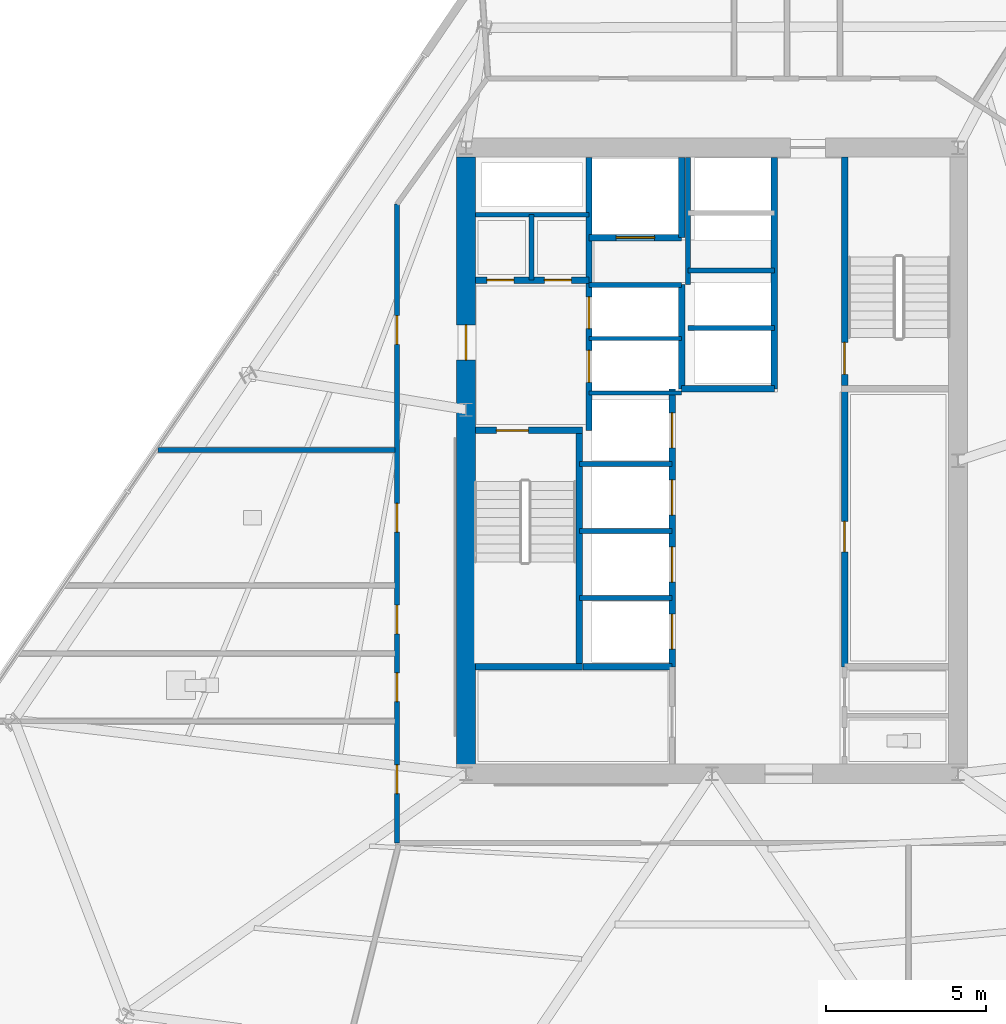
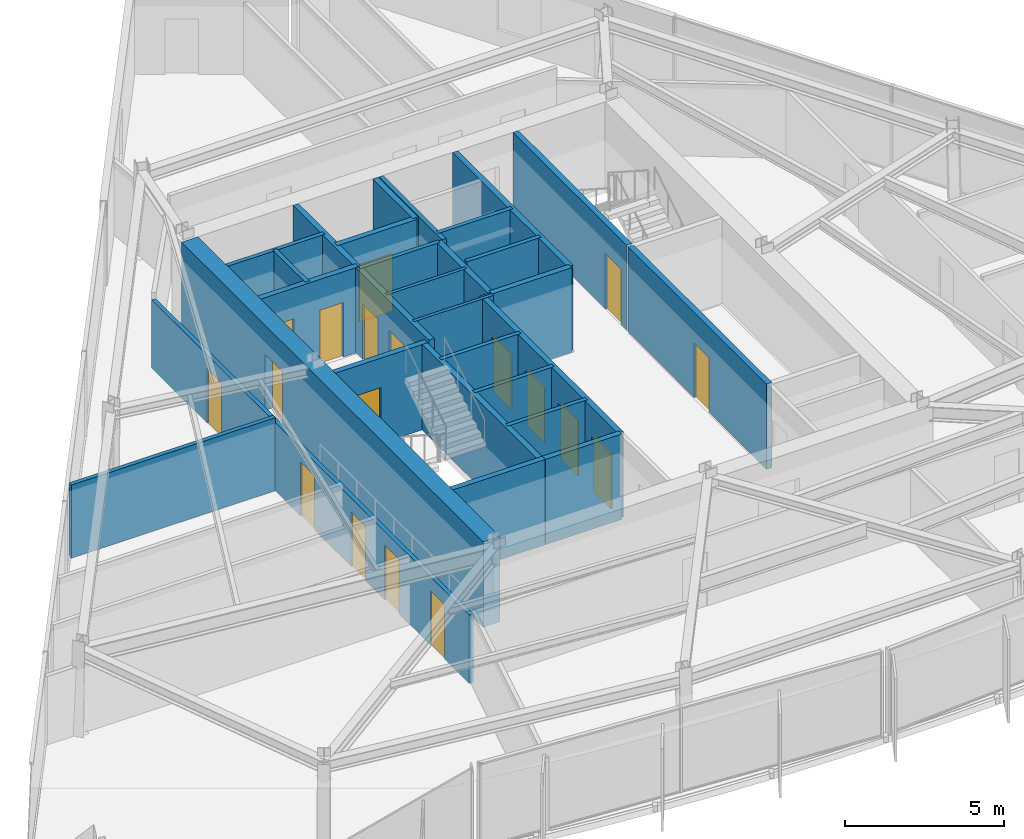
# One storey, part 8 of 15: 28 walls, 18 doors, 18 openings.
"""IFC4 building model written with IfcOpenShell, lengths in metres."""

from ifc_helpers import new_model, si_unit, direction, frame, frame_2d, origin, place, context, subcontext, project, spatial, rectangle, extrude, material, layer, layer_set, type_object, element, fill, save


model = new_model("IFC4")

# Units and contexts
model_context = context("Model", 3, precision=1e-05, world=origin(), true_north=direction((0.0, 1.0)))
body_context = subcontext(model_context, "Body", "Model", "MODEL_VIEW")
ifc_project = project(units=[si_unit("LENGTHUNIT", "METRE"), si_unit("AREAUNIT", "SQUARE_METRE"), si_unit("VOLUMEUNIT", "CUBIC_METRE"), si_unit("PLANEANGLEUNIT", "RADIAN"), si_unit("MASSUNIT", "GRAM", prefix="KILO")], contexts=[model_context])

# Site, building, storey
site_placement = place(None, origin())
site = spatial("IfcSite", under=ifc_project, at=site_placement, CompositionType="ELEMENT")
building_placement = place(site_placement, origin())
building = spatial("IfcBuilding", under=site, at=building_placement, Name="Savorim Split Tower", CompositionType="ELEMENT")
storey_placement = place(building_placement, frame((0.0, 0.0, 125.699951171875)))
storey = spatial("IfcBuildingStorey", under=building, at=storey_placement, Name="L33", CompositionType="ELEMENT", Elevation=125.699951171875)

# Wall, opening, door
ifc_material_1 = material(Name="Concrete C60/75", Category="concrete")
ifc_layer_1 = layer(ifc_material_1, 0.60009765625)
ifc_layer_set_1 = layer_set([ifc_layer_1], Name="WAL-COR-SH600")
wall_type_1 = type_object("IfcWallType", Name="WAL-COR-SH600", PredefinedType="SHEAR", material=ifc_layer_set_1)
wall_1_placement = place(storey_placement, frame((-7.699951171875, -9.10009765625, 0.0), z_axis=(0.0, 0.0, 1.0), x_axis=(0.0, 1.0, 0.0)))
wall_1 = element("IfcWall", 1, at=wall_1_placement, inside=storey, type_object=wall_type_1, Name="L33 Offset Core West Shear Wall", PredefinedType="SHEAR", context=body_context, shape_type="SweptSolid", body=[
    extrude(rectangle(XDim=19.0, YDim=0.60009765625, at=frame_2d((9.5, 0.0))), origin(), (0.0, 0.0, 1.0), 3.280029296875),
])
opening_1_placement = place(wall_1_placement, frame((12.64990234375, 0.0, 0.0)))
opening_1 = element("IfcOpeningElement", 2, at=opening_1_placement, cuts=wall_1, Name="Opening DI-03", PredefinedType="OPENING", context=body_context, shape_type="SweptSolid", body=[
    extrude(rectangle(XDim=1.10009765625, YDim=2.14990234375, at=frame_2d((0.550048828125, 1.074951171875))), frame((0.0, 0.31005859375, 0.0), z_axis=(0.0, -1.0, 0.0), x_axis=(1.0, 0.0, 0.0)), (0.0, 0.0, 1.0), 0.6201171875),
])
ifc_material_2 = material(Name="Timber Fire Door Leaf", Category="wood")
door_type_1 = type_object("IfcDoorType", Name="DOR-FIR-1100", OperationType="NOTDEFINED", PredefinedType="DOOR", material=ifc_material_2)
door_1_placement = place(opening_1_placement, origin())
door_1 = element("IfcDoor", 3, at=door_1_placement, inside=storey, type_object=door_type_1, Name="DOR-L33-COR-FFLOB - L33 Firefighting Lobby Corridor Door", OperationType="SINGLE_SWING_LEFT", OverallHeight=2.14990234375, OverallWidth=1.10009765625, PredefinedType="DOOR", context=body_context, shape_type="SweptSolid", body=[
    extrude(rectangle(XDim=1.10009765625, YDim=2.14990234375, at=frame_2d((0.550048828125, 1.074951171875))), frame((0.0, 0.02490234375, 0.0), z_axis=(0.0, -1.0, 0.0), x_axis=(1.0, 0.0, 0.0)), (0.0, 0.0, 1.0), 0.050048828125),
])
fill(opening_1, door_1)

ifc_material_3 = material(Name="Concrete C50/60", Category="concrete")
ifc_layer_2 = layer(ifc_material_3, 0.199951171875)
ifc_layer_set_2 = layer_set([ifc_layer_2], Name="WAL-INT-RC200")
wall_type_2 = type_object("IfcWallType", Name="WAL-INT-RC200", PredefinedType="SOLIDWALL", material=ifc_layer_set_2)
wall_2_placement = place(storey_placement, frame((-7.39990234375, 1.35009765625, 0.0), z_axis=(0.0, 0.0, 1.0), x_axis=(1.0, 0.0, 0.0)))
wall_2 = element("IfcWall", 4, at=wall_2_placement, inside=storey, type_object=wall_type_2, Name="L33 Structural Shaft Wall W-L33-CR01", PredefinedType="SOLIDWALL", context=body_context, shape_type="SweptSolid", body=[
    extrude(rectangle(XDim=3.349853515625, YDim=0.199951171875, at=frame_2d((1.6748046875, 0.0))), origin(), (0.0, 0.0, 1.0), 3.280029296875),
])
opening_2_placement = place(wall_2_placement, frame((0.64990234375, 0.0, 0.0)))
opening_2 = element("IfcOpeningElement", 5, at=opening_2_placement, cuts=wall_2, Name="Opening DI-04", PredefinedType="OPENING", context=body_context, shape_type="SweptSolid", body=[
    extrude(rectangle(XDim=1.0, YDim=2.14990234375, at=frame_2d((0.5, 1.074951171875))), frame((0.0, 0.10986328125, 0.0), z_axis=(0.0, -1.0, 0.0), x_axis=(1.0, 0.0, 0.0)), (0.0, 0.0, 1.0), 0.219970703125),
])
door_type_2 = type_object("IfcDoorType", Name="DOR-FIR-1000", OperationType="NOTDEFINED", PredefinedType="DOOR", material=ifc_material_2)
door_2_placement = place(opening_2_placement, origin())
door_2 = element("IfcDoor", 6, at=door_2_placement, inside=storey, type_object=door_type_2, Name="DR-L33-ST1 - L33 Stair ST-1 Enclosure Door", OperationType="SINGLE_SWING_LEFT", OverallHeight=2.14990234375, OverallWidth=1.0, PredefinedType="DOOR", context=body_context, shape_type="SweptSolid", body=[
    extrude(rectangle(XDim=1.0, YDim=2.14990234375, at=frame_2d((0.5, 1.074951171875))), frame((0.0, 0.02490234375, 0.0), z_axis=(0.0, -1.0, 0.0), x_axis=(1.0, 0.0, 0.0)), (0.0, 0.0, 1.0), 0.050048828125),
])
fill(opening_2, door_2)

# Wall
wall_3_placement = place(storey_placement, frame((-4.14990234375, -5.949951171875, 0.0), z_axis=(0.0, 0.0, 1.0), x_axis=(0.0, 1.0, 0.0)))
element("IfcWall", 7, at=wall_3_placement, inside=storey, type_object=wall_type_2, Name="L33 Structural Shaft Wall W-L33-CR02", PredefinedType="SOLIDWALL", context=body_context, shape_type="SweptSolid", body=[
    extrude(rectangle(XDim=7.199951171875, YDim=0.199951171875, at=frame_2d((3.60009765625, 0.0))), origin(), (0.0, 0.0, 1.0), 3.280029296875),
])

# Wall, openings, doors
wall_4_placement = place(storey_placement, frame((-3.85009765625, 1.35009765625, 0.0), z_axis=(0.0, 0.0, 1.0), x_axis=(0.0, 1.0, 0.0)))
wall_4 = element("IfcWall", 8, at=wall_4_placement, inside=storey, type_object=wall_type_2, Name="L33 Partition W-L33-CR03", PredefinedType="SOLIDWALL", context=body_context, shape_type="SweptSolid", body=[
    extrude(rectangle(XDim=8.544921875, YDim=0.199951171875, at=frame_2d((4.2724609375, 0.0))), origin(), (0.0, 0.0, 1.0), 3.280029296875),
])
opening_3_placement = place(wall_4_placement, frame((1.5, 0.0, 0.0)))
opening_3 = element("IfcOpeningElement", 9, at=opening_3_placement, cuts=wall_4, Name="Opening LD-FFL", PredefinedType="OPENING", context=body_context, shape_type="SweptSolid", body=[
    extrude(rectangle(XDim=1.0, YDim=2.14990234375, at=frame_2d((0.5, 1.074951171875))), frame((0.0, 0.10986328125, 0.0), z_axis=(0.0, -1.0, 0.0), x_axis=(1.0, 0.0, 0.0)), (0.0, 0.0, 1.0), 0.219970703125),
])
opening_4_placement = place(wall_4_placement, frame((3.179931640625, 0.0, 0.0)))
opening_4 = element("IfcOpeningElement", 10, at=opening_4_placement, cuts=wall_4, Name="Opening LD-FFL", PredefinedType="OPENING", context=body_context, shape_type="SweptSolid", body=[
    extrude(rectangle(XDim=1.0, YDim=2.14990234375, at=frame_2d((0.5, 1.074951171875))), frame((0.0, 0.10986328125, 0.0), z_axis=(0.0, -1.0, 0.0), x_axis=(1.0, 0.0, 0.0)), (0.0, 0.0, 1.0), 0.219970703125),
])
ifc_material_4 = material(Name="Charcoal Anodised Aluminium", Category="aluminium")
door_type_3 = type_object("IfcDoorType", Name="DOR-SLD-LD1000", OperationType="NOTDEFINED", PredefinedType="DOOR", material=ifc_material_4)
door_3_placement = place(opening_3_placement, origin())
door_3 = element("IfcDoor", 11, at=door_3_placement, inside=storey, type_object=door_type_3, Name="DR-L33-LD-FFL1 - L33 Firefighting Lift FFL-1 Sliding Landing Door", OperationType="DOUBLE_DOOR_SLIDING", OverallHeight=2.14990234375, OverallWidth=1.0, PredefinedType="DOOR", context=body_context, shape_type="SweptSolid", body=[
    extrude(rectangle(XDim=1.0, YDim=2.14990234375, at=frame_2d((0.5, 1.074951171875))), frame((0.0, 0.02490234375, 0.0), z_axis=(0.0, -1.0, 0.0), x_axis=(1.0, 0.0, 0.0)), (0.0, 0.0, 1.0), 0.050048828125),
])
fill(opening_3, door_3)
door_4_placement = place(opening_4_placement, origin())
door_4 = element("IfcDoor", 12, at=door_4_placement, inside=storey, type_object=door_type_3, Name="DR-L33-LD-FFL2 - L33 Firefighting Lift FFL-2 Sliding Landing Door", OperationType="DOUBLE_DOOR_SLIDING", OverallHeight=2.14990234375, OverallWidth=1.0, PredefinedType="DOOR", context=body_context, shape_type="SweptSolid", body=[
    extrude(rectangle(XDim=1.0, YDim=2.14990234375, at=frame_2d((0.5, 1.074951171875))), frame((0.0, 0.02490234375, 0.0), z_axis=(0.0, -1.0, 0.0), x_axis=(1.0, 0.0, 0.0)), (0.0, 0.0, 1.0), 0.050048828125),
])
fill(opening_4, door_4)

wall_5_placement = place(storey_placement, frame((-7.39501953125, 6.050048828125, 0.0), z_axis=(0.0, 0.0, 1.0), x_axis=(1.0, 0.0, 0.0)))
wall_5 = element("IfcWall", 13, at=wall_5_placement, inside=storey, type_object=wall_type_2, Name="L33 Partition W-L33-CR04", PredefinedType="SOLIDWALL", context=body_context, shape_type="SweptSolid", body=[
    extrude(rectangle(XDim=3.544921875, YDim=0.199951171875, at=frame_2d((1.7724609375, 0.0))), origin(), (0.0, 0.0, 1.0), 3.280029296875),
])
opening_5_placement = place(wall_5_placement, frame((0.344970703125, 0.0, 0.0)))
opening_5 = element("IfcOpeningElement", 14, at=opening_5_placement, cuts=wall_5, Name="Opening DI-12", PredefinedType="OPENING", context=body_context, shape_type="SweptSolid", body=[
    extrude(rectangle(XDim=0.85009765625, YDim=2.10009765625, at=frame_2d((0.425048828125, 1.050048828125))), frame((0.0, 0.10986328125, 0.0), z_axis=(0.0, -1.0, 0.0), x_axis=(1.0, 0.0, 0.0)), (0.0, 0.0, 1.0), 0.219970703125),
])
opening_6_placement = place(wall_5_placement, frame((2.14501953125, 0.0, 0.0)))
opening_6 = element("IfcOpeningElement", 15, at=opening_6_placement, cuts=wall_5, Name="Opening DI-12", PredefinedType="OPENING", context=body_context, shape_type="SweptSolid", body=[
    extrude(rectangle(XDim=0.85009765625, YDim=2.10009765625, at=frame_2d((0.425048828125, 1.050048828125))), frame((0.0, 0.10986328125, 0.0), z_axis=(0.0, -1.0, 0.0), x_axis=(1.0, 0.0, 0.0)), (0.0, 0.0, 1.0), 0.219970703125),
])
ifc_material_5 = material(Name="Galvanised Painted Steel Balustrade", Category="steel")
door_type_4 = type_object("IfcDoorType", Name="DOR-RIS-850", OperationType="NOTDEFINED", PredefinedType="DOOR", material=ifc_material_5)
door_5_placement = place(opening_5_placement, origin())
door_5 = element("IfcDoor", 16, at=door_5_placement, inside=storey, type_object=door_type_4, Name="DR-L33-ELR - L33 Electrical Riser Access Door", OperationType="SINGLE_SWING_RIGHT", OverallHeight=2.10009765625, OverallWidth=0.85009765625, PredefinedType="DOOR", context=body_context, shape_type="SweptSolid", body=[
    extrude(rectangle(XDim=0.85009765625, YDim=2.10009765625, at=frame_2d((0.425048828125, 1.050048828125))), frame((0.0, 0.02490234375, 0.0), z_axis=(0.0, -1.0, 0.0), x_axis=(1.0, 0.0, 0.0)), (0.0, 0.0, 1.0), 0.050048828125),
])
fill(opening_5, door_5)
door_6_placement = place(opening_6_placement, origin())
door_6 = element("IfcDoor", 17, at=door_6_placement, inside=storey, type_object=door_type_4, Name="DR-L33-TLR - L33 Telecom Riser Access Door", OperationType="SINGLE_SWING_LEFT", OverallHeight=2.10009765625, OverallWidth=0.85009765625, PredefinedType="DOOR", context=body_context, shape_type="SweptSolid", body=[
    extrude(rectangle(XDim=0.85009765625, YDim=2.10009765625, at=frame_2d((0.425048828125, 1.050048828125))), frame((0.0, 0.02490234375, 0.0), z_axis=(0.0, -1.0, 0.0), x_axis=(1.0, 0.0, 0.0)), (0.0, 0.0, 1.0), 0.050048828125),
])
fill(opening_6, door_6)

# Wall, opening, door
wall_6_placement = place(storey_placement, frame((4.14990234375, 2.75, 0.0), z_axis=(0.0, 0.0, 1.0), x_axis=(0.0, 1.0, 0.0)))
wall_6 = element("IfcWall", 18, at=wall_6_placement, inside=storey, type_object=wall_type_2, Name="L33 Structural Shaft Wall W-L33-CR07", PredefinedType="SOLIDWALL", context=body_context, shape_type="SweptSolid", body=[
    extrude(rectangle(XDim=7.14990234375, YDim=0.199951171875, at=frame_2d((3.574951171875, 0.0))), origin(), (0.0, 0.0, 1.0), 3.280029296875),
])
opening_7_placement = place(wall_6_placement, frame((0.35009765625, 0.0, 0.0)))
opening_7 = element("IfcOpeningElement", 19, at=opening_7_placement, cuts=wall_6, Name="Opening DI-04", PredefinedType="OPENING", context=body_context, shape_type="SweptSolid", body=[
    extrude(rectangle(XDim=1.0, YDim=2.14990234375, at=frame_2d((0.5, 1.074951171875))), frame((0.0, 0.10986328125, 0.0), z_axis=(0.0, -1.0, 0.0), x_axis=(1.0, 0.0, 0.0)), (0.0, 0.0, 1.0), 0.219970703125),
])
door_7_placement = place(opening_7_placement, origin())
door_7 = element("IfcDoor", 20, at=door_7_placement, inside=storey, type_object=door_type_2, Name="DR-L33-ST2 - L33 Stair ST-2 Enclosure Door", OperationType="SINGLE_SWING_RIGHT", OverallHeight=2.14990234375, OverallWidth=1.0, PredefinedType="DOOR", context=body_context, shape_type="SweptSolid", body=[
    extrude(rectangle(XDim=1.0, YDim=2.14990234375, at=frame_2d((0.5, 1.074951171875))), frame((0.0, 0.02490234375, 0.0), z_axis=(0.0, -1.0, 0.0), x_axis=(1.0, 0.0, 0.0)), (0.0, 0.0, 1.0), 0.050048828125),
])
fill(opening_7, door_7)

# Wall
wall_7_placement = place(storey_placement, frame((-0.949951171875, 2.64990234375, 0.0), z_axis=(0.0, 0.0, 1.0), x_axis=(0.0, 1.0, 0.0)))
element("IfcWall", 21, at=wall_7_placement, inside=storey, type_object=wall_type_2, Name="L33 Partition W-L33-FFLW", PredefinedType="SOLIDWALL", context=body_context, shape_type="SweptSolid", body=[
    extrude(rectangle(XDim=3.27001953125, YDim=0.199951171875, at=frame_2d((1.635009765625, 0.0))), origin(), (0.0, 0.0, 1.0), 3.280029296875),
])

# Wall, opening, door
wall_8_placement = place(storey_placement, frame((-3.85009765625, 7.3798828125, 0.0), z_axis=(0.0, 0.0, 1.0), x_axis=(1.0, 0.0, 0.0)))
wall_8 = element("IfcWall", 22, at=wall_8_placement, inside=storey, type_object=wall_type_2, Name="L33 Partition W-L33-SVLS", PredefinedType="SOLIDWALL", context=body_context, shape_type="SweptSolid", body=[
    extrude(rectangle(XDim=2.900146484375, YDim=0.199951171875, at=frame_2d((1.4501953125, 0.0))), origin(), (0.0, 0.0, 1.0), 3.280029296875),
])
opening_8_placement = place(wall_8_placement, frame((0.85009765625, 0.0, 0.0)))
opening_8 = element("IfcOpeningElement", 23, at=opening_8_placement, cuts=wall_8, Name="Opening LD-SV", PredefinedType="OPENING", context=body_context, shape_type="SweptSolid", body=[
    extrude(rectangle(XDim=1.199951171875, YDim=2.199951171875, at=frame_2d((0.60009765625, 1.10009765625))), frame((0.0, 0.10986328125, 0.0), z_axis=(0.0, -1.0, 0.0), x_axis=(1.0, 0.0, 0.0)), (0.0, 0.0, 1.0), 0.219970703125),
])
door_type_5 = type_object("IfcDoorType", Name="DOR-SLD-SV1200", OperationType="NOTDEFINED", PredefinedType="DOOR", material=ifc_material_4)
door_8_placement = place(opening_8_placement, origin())
door_8 = element("IfcDoor", 24, at=door_8_placement, inside=storey, type_object=door_type_5, Name="DR-L33-LD-SVL1 - L33 Service Lift SVL-1 Sliding Landing Door", OperationType="DOUBLE_DOOR_SLIDING", OverallHeight=2.199951171875, OverallWidth=1.199951171875, PredefinedType="DOOR", context=body_context, shape_type="SweptSolid", body=[
    extrude(rectangle(XDim=1.199951171875, YDim=2.199951171875, at=frame_2d((0.60009765625, 1.10009765625))), frame((0.0, 0.02490234375, 0.0), z_axis=(0.0, -1.0, 0.0), x_axis=(1.0, 0.0, 0.0)), (0.0, 0.0, 1.0), 0.050048828125),
])
fill(opening_8, door_8)

# Wall
wall_9_placement = place(storey_placement, frame((-0.949951171875, 7.3798828125, 0.0), z_axis=(0.0, 0.0, 1.0), x_axis=(0.0, 1.0, 0.0)))
element("IfcWall", 25, at=wall_9_placement, inside=storey, type_object=wall_type_2, Name="L33 Partition W-L33-SVLE", PredefinedType="SOLIDWALL", context=body_context, shape_type="SweptSolid", body=[
    extrude(rectangle(XDim=2.51513671875, YDim=0.199951171875, at=frame_2d((1.257568359375, 0.0))), origin(), (0.0, 0.0, 1.0), 3.280029296875),
])

# Wall, opening, door
wall_10_placement = place(storey_placement, frame((4.14990234375, -6.050048828125, 0.0), z_axis=(0.0, 0.0, 1.0), x_axis=(0.0, 1.0, 0.0)))
wall_10 = element("IfcWall", 26, at=wall_10_placement, inside=storey, type_object=wall_type_2, Name="L33 Partition W-L33-B1FRONT", PredefinedType="SOLIDWALL", context=body_context, shape_type="SweptSolid", body=[
    extrude(rectangle(XDim=8.699951171875, YDim=0.199951171875, at=frame_2d((4.35009765625, 0.0))), origin(), (0.0, 0.0, 1.0), 3.280029296875),
])
opening_9_placement = place(wall_10_placement, frame((3.60009765625, 0.0, 0.0)))
opening_9 = element("IfcOpeningElement", 27, at=opening_9_placement, cuts=wall_10, Name="Opening DI-05", PredefinedType="OPENING", context=body_context, shape_type="SweptSolid", body=[
    extrude(rectangle(XDim=0.949951171875, YDim=2.10009765625, at=frame_2d((0.47509765625, 1.050048828125))), frame((0.0, 0.10986328125, 0.0), z_axis=(0.0, -1.0, 0.0), x_axis=(1.0, 0.0, 0.0)), (0.0, 0.0, 1.0), 0.219970703125),
])
door_type_6 = type_object("IfcDoorType", Name="DOR-FIR-950", OperationType="NOTDEFINED", PredefinedType="DOOR", material=ifc_material_2)
door_9_placement = place(opening_9_placement, origin())
door_9 = element("IfcDoor", 28, at=door_9_placement, inside=storey, type_object=door_type_6, Name="DR-L33-LV7B1 - L33 Quiet Study Room Door", OperationType="SINGLE_SWING_RIGHT", OverallHeight=2.10009765625, OverallWidth=0.949951171875, PredefinedType="DOOR", context=body_context, shape_type="SweptSolid", body=[
    extrude(rectangle(XDim=0.949951171875, YDim=2.10009765625, at=frame_2d((0.47509765625, 1.050048828125))), frame((0.0, 0.02490234375, 0.0), z_axis=(0.0, -1.0, 0.0), x_axis=(1.0, 0.0, 0.0)), (0.0, 0.0, 1.0), 0.050048828125),
])
fill(opening_9, door_9)

# Wall, openings, doors
wall_11_placement = place(storey_placement, frame((-1.25, -6.050048828125, 0.0), z_axis=(0.0, 0.0, 1.0), x_axis=(0.0, 1.0, 0.0)))
wall_11 = element("IfcWall", 29, at=wall_11_placement, inside=storey, type_object=wall_type_2, Name="L33 Partition W-L33-B2FRONT", PredefinedType="SOLIDWALL", context=body_context, shape_type="SweptSolid", body=[
    extrude(rectangle(XDim=8.699951171875, YDim=0.199951171875, at=frame_2d((4.35009765625, 0.0))), origin(), (0.0, 0.0, 1.0), 3.280029296875),
])
opening_10_placement = place(wall_11_placement, frame((0.550048828125, 0.0, 0.0)))
opening_10 = element("IfcOpeningElement", 30, at=opening_10_placement, cuts=wall_11, Name="Opening LD-02", PredefinedType="OPENING", context=body_context, shape_type="SweptSolid", body=[
    extrude(rectangle(XDim=1.10009765625, YDim=2.14990234375, at=frame_2d((0.550048828125, 1.074951171875))), frame((0.0, 0.10986328125, 0.0), z_axis=(0.0, -1.0, 0.0), x_axis=(1.0, 0.0, 0.0)), (0.0, 0.0, 1.0), 0.219970703125),
])
opening_11_placement = place(wall_11_placement, frame((2.64990234375, 0.0, 0.0)))
opening_11 = element("IfcOpeningElement", 31, at=opening_11_placement, cuts=wall_11, Name="Opening LD-02", PredefinedType="OPENING", context=body_context, shape_type="SweptSolid", body=[
    extrude(rectangle(XDim=1.10009765625, YDim=2.14990234375, at=frame_2d((0.550048828125, 1.074951171875))), frame((0.0, 0.10986328125, 0.0), z_axis=(0.0, -1.0, 0.0), x_axis=(1.0, 0.0, 0.0)), (0.0, 0.0, 1.0), 0.219970703125),
])
opening_12_placement = place(wall_11_placement, frame((4.75, 0.0, 0.0)))
opening_12 = element("IfcOpeningElement", 32, at=opening_12_placement, cuts=wall_11, Name="Opening LD-02", PredefinedType="OPENING", context=body_context, shape_type="SweptSolid", body=[
    extrude(rectangle(XDim=1.10009765625, YDim=2.14990234375, at=frame_2d((0.550048828125, 1.074951171875))), frame((0.0, 0.10986328125, 0.0), z_axis=(0.0, -1.0, 0.0), x_axis=(1.0, 0.0, 0.0)), (0.0, 0.0, 1.0), 0.219970703125),
])
opening_13_placement = place(wall_11_placement, frame((6.85009765625, 0.0, 0.0)))
opening_13 = element("IfcOpeningElement", 33, at=opening_13_placement, cuts=wall_11, Name="Opening LD-02", PredefinedType="OPENING", context=body_context, shape_type="SweptSolid", body=[
    extrude(rectangle(XDim=1.10009765625, YDim=2.14990234375, at=frame_2d((0.550048828125, 1.074951171875))), frame((0.0, 0.10986328125, 0.0), z_axis=(0.0, -1.0, 0.0), x_axis=(1.0, 0.0, 0.0)), (0.0, 0.0, 1.0), 0.219970703125),
])
door_type_7 = type_object("IfcDoorType", Name="DOR-SLD-LDM1100", OperationType="NOTDEFINED", PredefinedType="DOOR", material=ifc_material_4)
door_10_placement = place(opening_10_placement, origin())
door_10 = element("IfcDoor", 34, at=door_10_placement, inside=storey, type_object=door_type_7, Name="DR-L33-LD-PLM1 - L33 Lift PL-M1 Sliding Landing Door", OperationType="DOUBLE_DOOR_SLIDING", OverallHeight=2.14990234375, OverallWidth=1.10009765625, PredefinedType="DOOR", context=body_context, shape_type="SweptSolid", body=[
    extrude(rectangle(XDim=1.10009765625, YDim=2.14990234375, at=frame_2d((0.550048828125, 1.074951171875))), frame((0.0, 0.02490234375, 0.0), z_axis=(0.0, -1.0, 0.0), x_axis=(1.0, 0.0, 0.0)), (0.0, 0.0, 1.0), 0.050048828125),
])
fill(opening_10, door_10)
door_11_placement = place(opening_11_placement, origin())
door_11 = element("IfcDoor", 35, at=door_11_placement, inside=storey, type_object=door_type_7, Name="DR-L33-LD-PLM2 - L33 Lift PL-M2 Sliding Landing Door", OperationType="DOUBLE_DOOR_SLIDING", OverallHeight=2.14990234375, OverallWidth=1.10009765625, PredefinedType="DOOR", context=body_context, shape_type="SweptSolid", body=[
    extrude(rectangle(XDim=1.10009765625, YDim=2.14990234375, at=frame_2d((0.550048828125, 1.074951171875))), frame((0.0, 0.02490234375, 0.0), z_axis=(0.0, -1.0, 0.0), x_axis=(1.0, 0.0, 0.0)), (0.0, 0.0, 1.0), 0.050048828125),
])
fill(opening_11, door_11)
door_12_placement = place(opening_12_placement, origin())
door_12 = element("IfcDoor", 36, at=door_12_placement, inside=storey, type_object=door_type_7, Name="DR-L33-LD-PLM3 - L33 Lift PL-M3 Sliding Landing Door", OperationType="DOUBLE_DOOR_SLIDING", OverallHeight=2.14990234375, OverallWidth=1.10009765625, PredefinedType="DOOR", context=body_context, shape_type="SweptSolid", body=[
    extrude(rectangle(XDim=1.10009765625, YDim=2.14990234375, at=frame_2d((0.550048828125, 1.074951171875))), frame((0.0, 0.02490234375, 0.0), z_axis=(0.0, -1.0, 0.0), x_axis=(1.0, 0.0, 0.0)), (0.0, 0.0, 1.0), 0.050048828125),
])
fill(opening_12, door_12)
door_13_placement = place(opening_13_placement, origin())
door_13 = element("IfcDoor", 37, at=door_13_placement, inside=storey, type_object=door_type_7, Name="DR-L33-LD-PLM4 - L33 Lift PL-M4 Sliding Landing Door", OperationType="DOUBLE_DOOR_SLIDING", OverallHeight=2.14990234375, OverallWidth=1.10009765625, PredefinedType="DOOR", context=body_context, shape_type="SweptSolid", body=[
    extrude(rectangle(XDim=1.10009765625, YDim=2.14990234375, at=frame_2d((0.550048828125, 1.074951171875))), frame((0.0, 0.02490234375, 0.0), z_axis=(0.0, -1.0, 0.0), x_axis=(1.0, 0.0, 0.0)), (0.0, 0.0, 1.0), 0.050048828125),
])
fill(opening_13, door_13)

# Walls
wall_12_placement = place(storey_placement, frame((1.949951171875, 2.64990234375, 0.0), z_axis=(0.0, 0.0, 1.0), x_axis=(0.0, 1.0, 0.0)))
element("IfcWall", 38, at=wall_12_placement, inside=storey, type_object=wall_type_2, Name="L33 Partition W-L33-B3FRONT", PredefinedType="SOLIDWALL", context=body_context, shape_type="SweptSolid", body=[
    extrude(rectangle(XDim=7.2451171875, YDim=0.199951171875, at=frame_2d((3.62255859375, 0.0))), origin(), (0.0, 0.0, 1.0), 3.280029296875),
])
wall_13_placement = place(storey_placement, frame((-0.949951171875, 2.64990234375, 0.0), z_axis=(0.0, 0.0, 1.0), x_axis=(1.0, 0.0, 0.0)))
element("IfcWall", 39, at=wall_13_placement, inside=storey, type_object=wall_type_2, Name="L33 Partition W-L33-B3SOUTH", PredefinedType="SOLIDWALL", context=body_context, shape_type="SweptSolid", body=[
    extrude(rectangle(XDim=2.89990234375, YDim=0.199951171875, at=frame_2d((1.449951171875, 0.0))), origin(), (0.0, 0.0, 1.0), 3.280029296875),
])
wall_14_placement = place(storey_placement, frame((-7.39990234375, -6.050048828125, 0.0), z_axis=(0.0, 0.0, 1.0), x_axis=(1.0, 0.0, 0.0)))
element("IfcWall", 40, at=wall_14_placement, inside=storey, type_object=wall_type_2, Name="L33 Structural Shaft Wall W-L33-KSEP-W", PredefinedType="SOLIDWALL", context=body_context, shape_type="SweptSolid", body=[
    extrude(rectangle(XDim=3.349853515625, YDim=0.199951171875, at=frame_2d((1.6748046875, 0.0))), origin(), (0.0, 0.0, 1.0), 3.280029296875),
])
wall_15_placement = place(storey_placement, frame((-4.0400390625, -6.050048828125, 0.0), z_axis=(0.0, 0.0, 1.0), x_axis=(1.0, 0.0, 0.0)))
element("IfcWall", 41, at=wall_15_placement, inside=storey, type_object=wall_type_2, Name="L33 Partition W-L33-KSEP-W2", PredefinedType="SOLIDWALL", context=body_context, shape_type="SweptSolid", body=[
    extrude(rectangle(XDim=2.7900390625, YDim=0.199951171875, at=frame_2d((1.39501953125, 0.0))), origin(), (0.0, 0.0, 1.0), 3.280029296875),
])
ifc_material_6 = material(Name="Acoustic Gypsum Partition Board")
ifc_layer_3 = layer(ifc_material_6, 0.1201171875)
ifc_layer_set_3 = layer_set([ifc_layer_3], Name="WAL-PAR-120")
wall_type_3 = type_object("IfcWallType", Name="WAL-PAR-120", PredefinedType="PARTITIONING", material=ifc_layer_set_3)
for number, where, z_axis, x_axis, name in (
    (42, (-3.85009765625, 2.52001953125, 0.0), (0.0, 0.0, 1.0), (1.0, 0.0, 0.0), "L33 Partition W-L33-FFLD0"),
    (43, (-3.85009765625, 4.219970703125, 0.0), (0.0, 0.0, 1.0), (1.0, 0.0, 0.0), "L33 Partition W-L33-FFLD1"),
):
    element("IfcWall", number, at=place(storey_placement, frame(where, z_axis=z_axis, x_axis=x_axis)), inside=storey, type_object=wall_type_3, Name=name, PredefinedType="PARTITIONING", context=body_context, shape_type="SweptSolid", body=[
        extrude(rectangle(XDim=2.900146484375, YDim=0.1201171875, at=frame_2d((1.4501953125, 0.0))), origin(), (0.0, 0.0, 1.0), 3.280029296875),
    ])
ifc_layer_4 = layer(ifc_material_6, 0.14990234375)
ifc_layer_set_4 = layer_set([ifc_layer_4], Name="WAL-PAR-150")
wall_type_4 = type_object("IfcWallType", Name="WAL-PAR-150", PredefinedType="PARTITIONING", material=ifc_layer_set_4)
wall_16_placement = place(storey_placement, frame((-7.39501953125, 8.10009765625, 0.0), z_axis=(0.0, 0.0, 1.0), x_axis=(1.0, 0.0, 0.0)))
element("IfcWall", 44, at=wall_16_placement, inside=storey, type_object=wall_type_4, Name="L33 Partition W-L33-CR05", PredefinedType="PARTITIONING", context=body_context, shape_type="SweptSolid", body=[
    extrude(rectangle(XDim=3.544921875, YDim=0.14990234375, at=frame_2d((1.7724609375, 0.0))), origin(), (0.0, 0.0, 1.0), 3.280029296875),
])
wall_17_placement = place(storey_placement, frame((-5.64990234375, 6.050048828125, 0.0), z_axis=(0.0, 0.0, 1.0), x_axis=(0.0, 1.0, 0.0)))
element("IfcWall", 45, at=wall_17_placement, inside=storey, type_object=wall_type_4, Name="L33 Partition W-L33-CR06", PredefinedType="PARTITIONING", context=body_context, shape_type="SweptSolid", body=[
    extrude(rectangle(XDim=2.050048828125, YDim=0.14990234375, at=frame_2d((1.02490234375, 0.0))), origin(), (0.0, 0.0, 1.0), 3.280029296875),
])
wall_18_placement = place(storey_placement, frame((-3.85009765625, 5.89990234375, 0.0), z_axis=(0.0, 0.0, 1.0), x_axis=(1.0, 0.0, 0.0)))
element("IfcWall", 46, at=wall_18_placement, inside=storey, type_object=wall_type_4, Name="L33 Partition W-L33-FFLD2", PredefinedType="PARTITIONING", context=body_context, shape_type="SweptSolid", body=[
    extrude(rectangle(XDim=2.900146484375, YDim=0.14990234375, at=frame_2d((1.4501953125, 0.0))), origin(), (0.0, 0.0, 1.0), 3.280029296875),
])
for number, where, z_axis, x_axis, name in (
    (47, (-4.14990234375, -3.89990234375, 0.0), (0.0, 0.0, 1.0), (1.0, 0.0, 0.0), "L33 Partition W-L33-B2DIV1"),
    (48, (-4.14990234375, -1.800048828125, 0.0), (0.0, 0.0, 1.0), (1.0, 0.0, 0.0), "L33 Partition W-L33-B2DIV2"),
    (49, (-4.14990234375, 0.300048828125, 0.0), (0.0, 0.0, 1.0), (1.0, 0.0, 0.0), "L33 Partition W-L33-B2DIV3"),
):
    element("IfcWall", number, at=place(storey_placement, frame(where, z_axis=z_axis, x_axis=x_axis)), inside=storey, type_object=wall_type_4, Name=name, PredefinedType="PARTITIONING", context=body_context, shape_type="SweptSolid", body=[
        extrude(rectangle(XDim=2.89990234375, YDim=0.14990234375, at=frame_2d((1.449951171875, 0.0))), origin(), (0.0, 0.0, 1.0), 3.280029296875),
    ])
wall_19_placement = place(storey_placement, frame((-0.75, 5.919921875, 0.0), z_axis=(0.0, 0.0, 1.0), x_axis=(0.0, 1.0, 0.0)))
element("IfcWall", 50, at=wall_19_placement, inside=storey, type_object=wall_type_4, Name="L33 Partition W-L33-B3WEST", PredefinedType="PARTITIONING", context=body_context, shape_type="SweptSolid", body=[
    extrude(rectangle(XDim=3.97509765625, YDim=0.14990234375, at=frame_2d((1.987548828125, 0.0))), origin(), (0.0, 0.0, 1.0), 3.280029296875),
])
for number, where, z_axis, x_axis, name in (
    (51, (-0.75, 4.550048828125, 0.0), (0.0, 0.0, 1.0), (1.0, 0.0, 0.0), "L33 Partition W-L33-B3DIV1"),
    (52, (-0.75, 6.35009765625, 0.0), (0.0, 0.0, 1.0), (1.0, 0.0, 0.0), "L33 Partition W-L33-B3DIV2"),
):
    element("IfcWall", number, at=place(storey_placement, frame(where, z_axis=z_axis, x_axis=x_axis)), inside=storey, type_object=wall_type_4, Name=name, PredefinedType="PARTITIONING", context=body_context, shape_type="SweptSolid", body=[
        extrude(rectangle(XDim=2.699951171875, YDim=0.14990234375, at=frame_2d((1.35009765625, 0.0))), origin(), (0.0, 0.0, 1.0), 3.280029296875),
    ])

# Wall, openings, doors
wall_20_placement = place(storey_placement, frame((-9.860107421875, -11.56005859375, 0.0), z_axis=(0.0, 0.0, 1.0), x_axis=(0.0, 1.0, 0.0)))
wall_20 = element("IfcWall", 53, at=wall_20_placement, inside=storey, type_object=wall_type_4, Name="L33 Partition W-L33-COR-01", PredefinedType="PARTITIONING", context=body_context, shape_type="SweptSolid", body=[
    extrude(rectangle(XDim=19.98583984375, YDim=0.14990234375, at=frame_2d((9.992919921875, 0.0))), origin(), (0.0, 0.0, 1.0), 2.635009765625),
])
opening_14_placement = place(wall_20_placement, frame((9.72412109375, 0.0, 0.0)))
opening_14 = element("IfcOpeningElement", 54, at=opening_14_placement, cuts=wall_20, Name="Opening DI-06", PredefinedType="OPENING", context=body_context, shape_type="SweptSolid", body=[
    extrude(rectangle(XDim=0.89990234375, YDim=2.10009765625, at=frame_2d((0.449951171875, 1.050048828125))), frame((0.0, 0.0849609375, 0.0), z_axis=(0.0, -1.0, 0.0), x_axis=(1.0, 0.0, 0.0)), (0.0, 0.0, 1.0), 0.169921875),
])
opening_15_placement = place(wall_20_placement, frame((6.540283203125, 0.0, 0.0)))
opening_15 = element("IfcOpeningElement", 55, at=opening_15_placement, cuts=wall_20, Name="Opening DI-06", PredefinedType="OPENING", context=body_context, shape_type="SweptSolid", body=[
    extrude(rectangle(XDim=0.89990234375, YDim=2.10009765625, at=frame_2d((0.449951171875, 1.050048828125))), frame((0.0, 0.0849609375, 0.0), z_axis=(0.0, -1.0, 0.0), x_axis=(1.0, 0.0, 0.0)), (0.0, 0.0, 1.0), 0.169921875),
])
opening_16_placement = place(wall_20_placement, frame((4.417724609375, 0.0, 0.0)))
opening_16 = element("IfcOpeningElement", 56, at=opening_16_placement, cuts=wall_20, Name="Opening DI-11", PredefinedType="OPENING", context=body_context, shape_type="SweptSolid", body=[
    extrude(rectangle(XDim=0.89990234375, YDim=2.10009765625, at=frame_2d((0.449951171875, 1.050048828125))), frame((0.0, 0.0849609375, 0.0), z_axis=(0.0, -1.0, 0.0), x_axis=(1.0, 0.0, 0.0)), (0.0, 0.0, 1.0), 0.169921875),
])
opening_17_placement = place(wall_20_placement, frame((1.54248046875, 0.0, 0.0)))
opening_17 = element("IfcOpeningElement", 57, at=opening_17_placement, cuts=wall_20, Name="Opening DI-06", PredefinedType="OPENING", context=body_context, shape_type="SweptSolid", body=[
    extrude(rectangle(XDim=0.89990234375, YDim=2.10009765625, at=frame_2d((0.449951171875, 1.050048828125))), frame((0.0, 0.0849609375, 0.0), z_axis=(0.0, -1.0, 0.0), x_axis=(1.0, 0.0, 0.0)), (0.0, 0.0, 1.0), 0.169921875),
])
opening_18_placement = place(wall_20_placement, frame((15.601806640625, 0.0, 0.0)))
opening_18 = element("IfcOpeningElement", 58, at=opening_18_placement, cuts=wall_20, Name="Opening DI-06", PredefinedType="OPENING", context=body_context, shape_type="SweptSolid", body=[
    extrude(rectangle(XDim=0.89990234375, YDim=2.10009765625, at=frame_2d((0.449951171875, 1.050048828125))), frame((0.0, 0.0849609375, 0.0), z_axis=(0.0, -1.0, 0.0), x_axis=(1.0, 0.0, 0.0)), (0.0, 0.0, 1.0), 0.169921875),
])
door_type_8 = type_object("IfcDoorType", Name="DOR-FIR-900", OperationType="NOTDEFINED", PredefinedType="DOOR", material=ifc_material_2)
door_14_placement = place(opening_14_placement, origin())
door_14 = element("IfcDoor", 59, at=door_14_placement, inside=storey, type_object=door_type_8, Name="DR-L33-RM01 - L33 Shared Kitchen Entry Door", OperationType="SINGLE_SWING_RIGHT", OverallHeight=2.10009765625, OverallWidth=0.89990234375, PredefinedType="DOOR", context=body_context, shape_type="SweptSolid", body=[
    extrude(rectangle(XDim=0.89990234375, YDim=2.10009765625, at=frame_2d((0.449951171875, 1.050048828125))), frame((0.0, 0.02490234375, 0.0), z_axis=(0.0, -1.0, 0.0), x_axis=(1.0, 0.0, 0.0)), (0.0, 0.0, 1.0), 0.050048828125),
])
fill(opening_14, door_14)
door_15_placement = place(opening_15_placement, origin())
door_15 = element("IfcDoor", 60, at=door_15_placement, inside=storey, type_object=door_type_8, Name="DR-L33-RM02 - L33 Co-Living Bedroom Entry Door", OperationType="SINGLE_SWING_LEFT", OverallHeight=2.10009765625, OverallWidth=0.89990234375, PredefinedType="DOOR", context=body_context, shape_type="SweptSolid", body=[
    extrude(rectangle(XDim=0.89990234375, YDim=2.10009765625, at=frame_2d((0.449951171875, 1.050048828125))), frame((0.0, 0.02490234375, 0.0), z_axis=(0.0, -1.0, 0.0), x_axis=(1.0, 0.0, 0.0)), (0.0, 0.0, 1.0), 0.050048828125),
])
fill(opening_15, door_15)
door_16_placement = place(opening_17_placement, origin())
door_16 = element("IfcDoor", 61, at=door_16_placement, inside=storey, type_object=door_type_8, Name="DR-L33-RM04 - L33 Maker Workshop Entry Door", OperationType="SINGLE_SWING_LEFT", OverallHeight=2.10009765625, OverallWidth=0.89990234375, PredefinedType="DOOR", context=body_context, shape_type="SweptSolid", body=[
    extrude(rectangle(XDim=0.89990234375, YDim=2.10009765625, at=frame_2d((0.449951171875, 1.050048828125))), frame((0.0, 0.02490234375, 0.0), z_axis=(0.0, -1.0, 0.0), x_axis=(1.0, 0.0, 0.0)), (0.0, 0.0, 1.0), 0.050048828125),
])
fill(opening_17, door_16)
door_17_placement = place(opening_18_placement, origin())
door_17 = element("IfcDoor", 62, at=door_17_placement, inside=storey, type_object=door_type_8, Name="DR-L33-RM14 - L33 Maker Workshop Entry Door", OperationType="SINGLE_SWING_LEFT", OverallHeight=2.10009765625, OverallWidth=0.89990234375, PredefinedType="DOOR", context=body_context, shape_type="SweptSolid", body=[
    extrude(rectangle(XDim=0.89990234375, YDim=2.10009765625, at=frame_2d((0.449951171875, 1.050048828125))), frame((0.0, 0.02490234375, 0.0), z_axis=(0.0, -1.0, 0.0), x_axis=(1.0, 0.0, 0.0)), (0.0, 0.0, 1.0), 0.050048828125),
])
fill(opening_18, door_17)
ifc_material_7 = material(Name="Oak Veneer Acoustic Door")
door_type_9 = type_object("IfcDoorType", Name="DOR-WC-900", OperationType="NOTDEFINED", PredefinedType="DOOR", material=ifc_material_7)
door_18_placement = place(opening_16_placement, origin())
door_18 = element("IfcDoor", 63, at=door_18_placement, inside=storey, type_object=door_type_9, Name="DR-L33-RM03 - L33 Shared Bathroom Entry Door", OperationType="SINGLE_SWING_RIGHT", OverallHeight=2.10009765625, OverallWidth=0.89990234375, PredefinedType="DOOR", context=body_context, shape_type="SweptSolid", body=[
    extrude(rectangle(XDim=0.89990234375, YDim=2.10009765625, at=frame_2d((0.449951171875, 1.050048828125))), frame((0.0, 0.02490234375, 0.0), z_axis=(0.0, -1.0, 0.0), x_axis=(1.0, 0.0, 0.0)), (0.0, 0.0, 1.0), 0.050048828125),
])
fill(opening_16, door_18)

# Wall
wall_21_placement = place(storey_placement, frame((-9.919921875, 0.736328125, 0.0), z_axis=(0.0, 0.0, 1.0), x_axis=(-1.0, 0.0, 0.0)))
element("IfcWall", 64, at=wall_21_placement, inside=storey, type_object=wall_type_4, Name="L33 Partition W-L33-SUB02", PredefinedType="PARTITIONING", context=body_context, shape_type="SweptSolid", body=[
    extrude(rectangle(XDim=7.419921875, YDim=0.14990234375, at=frame_2d((3.7099609375, 0.0))), origin(), (0.0, 0.0, 1.0), 2.81494140625),
])

save(model, "model.ifc")
